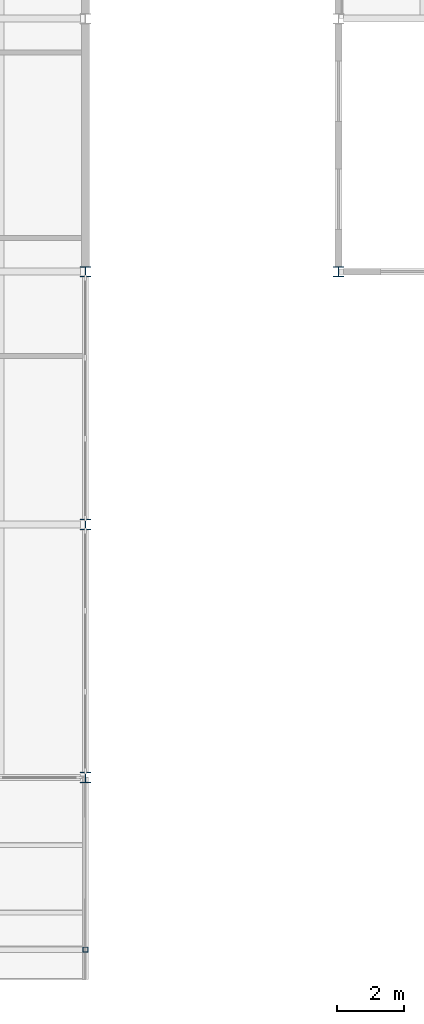
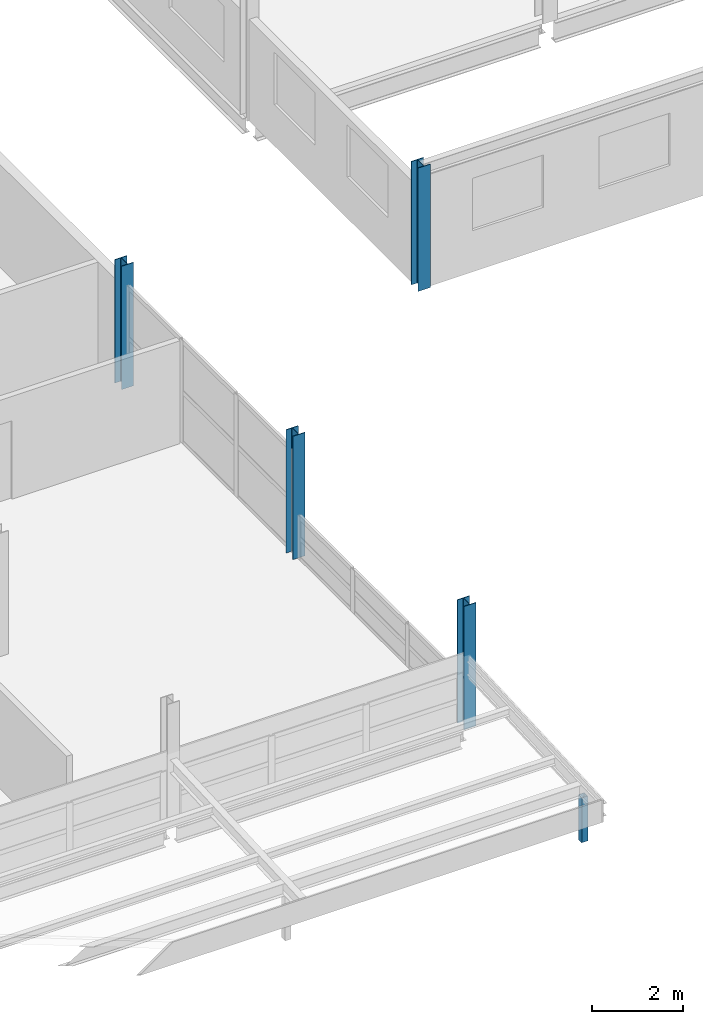
# One storey, part 21 of 214: 5 columns.
"""IFC4 building model written with IfcOpenShell, lengths in metres."""

from ifc_helpers import new_model, si_unit, direction, frame, origin, origin_2d, place, context, subcontext, project, spatial, hollow_rectangle, i_section, extrude, material, material_profile, profile_set, type_object, element, save


model = new_model("IFC4")

# Units and contexts
model_context = context("Model", 3, precision=1e-05, world=origin(), true_north=direction((0.0, 1.0)))
body_context = subcontext(model_context, "Body", "Model", "MODEL_VIEW")
ifc_project = project(units=[si_unit("LENGTHUNIT", "METRE"), si_unit("AREAUNIT", "SQUARE_METRE"), si_unit("VOLUMEUNIT", "CUBIC_METRE"), si_unit("PLANEANGLEUNIT", "RADIAN"), si_unit("MASSUNIT", "GRAM", prefix="KILO")], contexts=[model_context])

# Site, building, storey
site_placement = place(None, origin())
site = spatial("IfcSite", under=ifc_project, at=site_placement, CompositionType="ELEMENT")
building_placement = place(site_placement, origin())
building = spatial("IfcBuilding", under=site, at=building_placement, Name="Parallax Yard Mobility Hub", CompositionType="ELEMENT")
storey_placement = place(building_placement, frame((0.0, 0.0, 3.300048828125)))
storey = spatial("IfcBuildingStorey", under=building, at=storey_placement, Name="L01", CompositionType="ELEMENT", Elevation=3.300048828125)

# Columns
ifc_material_1 = material(Name="Steel ASTM A500 Gr C", Category="steel")
ifc_material_profile_1 = material_profile(ifc_material_1, hollow_rectangle(XDim=0.15234375, YDim=0.15234375, WallThickness=0.009521484375, at=origin_2d()), Name="HSS152x152x9.5")
ifc_profile_set_1 = profile_set([ifc_material_profile_1], Name="Steel ASTM A500 Gr C")
column_type_1 = type_object("IfcColumnType", Name="Roof column HSS152x152x9.5", PredefinedType="COLUMN", material=ifc_profile_set_1)
column_placement = place(storey_placement, frame((172.5, 2.39990234375, 0.0), z_axis=(0.0, 0.0, 1.0), x_axis=(1.0, 0.0, 0.0)))
element("IfcColumn", 1, at=column_placement, inside=storey, type_object=column_type_1, Name="Arcade column V6 11 level L01", PredefinedType="COLUMN", context=body_context, shape_type="SweptSolid", body=[
    extrude(hollow_rectangle(XDim=0.15234375, YDim=0.15234375, WallThickness=0.009521484375, at=origin_2d()), origin(), (0.0, 0.0, 1.0), 1.199951171875),
])
ifc_material_2 = material(Name="Steel ASTM A992", Category="steel")
ifc_material_profile_2 = material_profile(ifc_material_2, i_section(OverallWidth=0.304931640625, OverallDepth=0.306884765625, WebThickness=0.010009765625, FlangeThickness=0.015380859375, FilletRadius=0.01513671875, at=origin_2d()), Name="W310x97")
ifc_profile_set_2 = profile_set([ifc_material_profile_2], Name="Steel ASTM A992")
column_type_2 = type_object("IfcColumnType", Name="W310x97 column", PredefinedType="COLUMN", material=ifc_profile_set_2)
for number, where, z_axis, x_axis, name in (
    (2, (180.0, 22.5, 0.0), (0.0, 0.0, 1.0), (1.0, 0.0, 0.0), "Column C1 level L01 at D/25 of ramp house"),
    (3, (172.5, 7.5, 0.0), (0.0, 0.0, 1.0), (1.0, 0.0, 0.0), "Column C1 level L01 at B/24 of bicycle and shared-mobility hall"),
    (4, (172.5, 15.0, 0.0), (0.0, 0.0, 1.0), (1.0, 0.0, 0.0), "Column C1 level L01 at C/24 of bicycle and shared-mobility hall"),
    (5, (172.5, 22.5, 0.0), (0.0, 0.0, 1.0), (1.0, 0.0, 0.0), "Column C1 level L01 at D/24 of bicycle and shared-mobility hall"),
):
    element("IfcColumn", number, at=place(storey_placement, frame(where, z_axis=z_axis, x_axis=x_axis)), inside=storey, type_object=column_type_2, Name=name, PredefinedType="COLUMN", context=body_context, shape_type="SweptSolid", body=[
        extrude(i_section(OverallWidth=0.304931640625, OverallDepth=0.306884765625, WebThickness=0.010009765625, FlangeThickness=0.015380859375, FilletRadius=0.01513671875, at=origin_2d()), origin(), (0.0, 0.0, 1.0), 3.300048828125),
    ])

save(model, "model.ifc")
